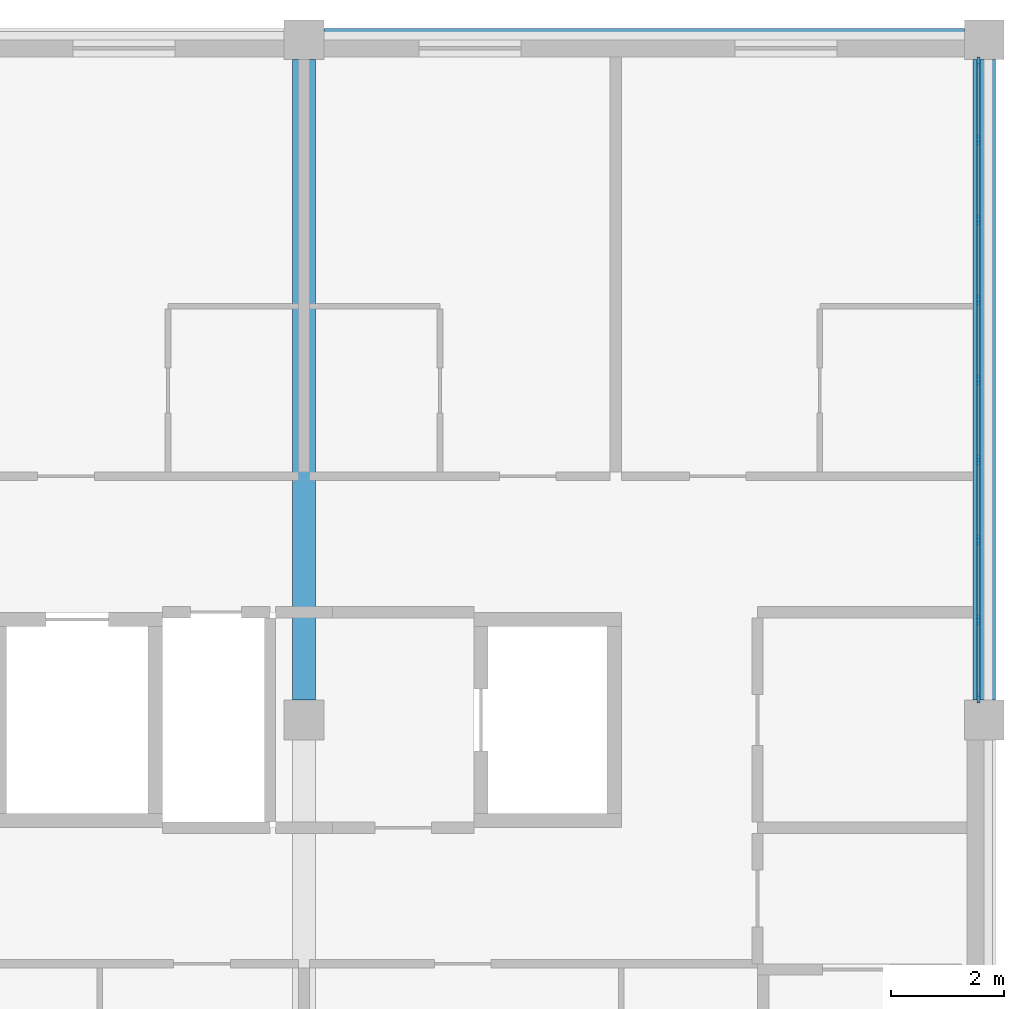
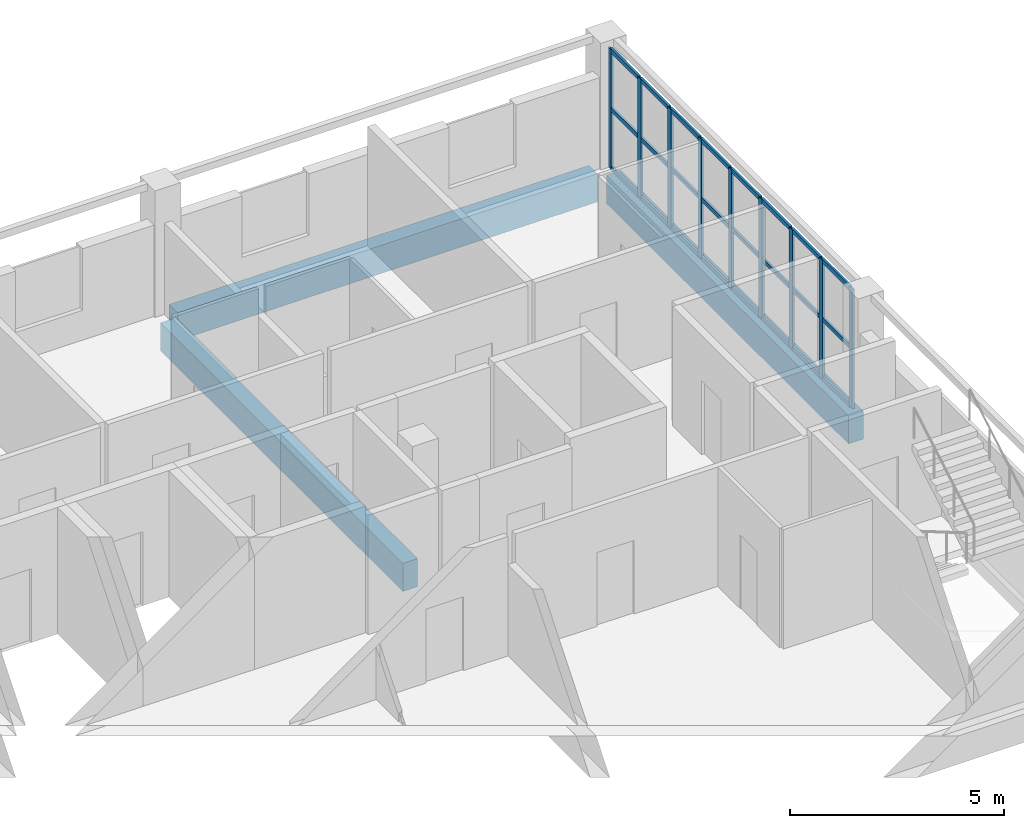
# One storey, part 4 of 11: 33 members, 3 beams, 1 element without a shape of its own.
"""IFC4 building model written with IfcOpenShell, lengths in metres."""

import ifcopenshell
import ifcopenshell.guid

model = None  # the IFC model being written
_history = None  # IfcOwnerHistory: only IFC2X3 demands one
_inside = {}  # id of a spatial element -> (the spatial element, [elements in it])
_under = {}  # id of a project, library or spatial element -> (it, [spatial elements below it])
_declared = {}  # id of a project -> (the project, [libraries it declares])
_typed = {}  # id of a type object -> (the type object, [elements of that type])
_made_of = {}  # id of a material, layer set ... -> (it, [elements and type objects made of it])


def new_model(schema):
    """Start an empty IFC model of exactly this schema.

    Asked for "IFC4X3", IfcOpenShell would pick the latest addendum, in which some entities
    have other attributes; the version numbers below select the first issue.
    IFC2X3 requires an IfcOwnerHistory on every rooted entity: one is made here for all.
    """
    global model, _history
    if schema == "IFC4X3":
        model = ifcopenshell.file(schema_version=(4, 3, 0, 0))
    else:
        model = ifcopenshell.file(schema=schema)
    _inside.clear()
    _under.clear()
    _declared.clear()
    _typed.clear()
    _made_of.clear()
    _history = None
    if model.schema == "IFC2X3":
        org = make("IfcOrganization", Name="unknown")
        user = make(
            "IfcPersonAndOrganization",
            ThePerson=make("IfcPerson", FamilyName="unknown"),
            TheOrganization=org,
        )
        app = make(
            "IfcApplication",
            ApplicationDeveloper=org,
            Version="unknown",
            ApplicationFullName="unknown",
            ApplicationIdentifier="unknown",
        )
        _history = make(
            "IfcOwnerHistory",
            OwningUser=user,
            OwningApplication=app,
            ChangeAction="ADDED",
            CreationDate=0,
        )
    return model


def make(cls, **values):
    """One entity of the class cls with the attributes given. An attribute that is None is left unset."""
    return model.create_entity(
        cls, **{name: value for name, value in values.items() if value is not None}
    )


def rooted(cls, **values):
    """An entity with a GlobalId (a new one), such as an element, a storey or a relation."""
    return make(cls, GlobalId=ifcopenshell.guid.new(), OwnerHistory=_history, **values)


def si_unit(unit_type, name, prefix=None):
    """IfcSIUnit, for example si_unit("LENGTHUNIT", "METRE", prefix="MILLI")."""
    return make("IfcSIUnit", UnitType=unit_type, Prefix=prefix, Name=name)


def assignment(units):
    """IfcUnitAssignment: the units of a project."""
    return None if units is None else make("IfcUnitAssignment", Units=units)


def point(xyz):
    """IfcCartesianPoint."""
    return None if xyz is None else make("IfcCartesianPoint", Coordinates=xyz)


def direction(xyz):
    """IfcDirection."""
    return None if xyz is None else make("IfcDirection", DirectionRatios=xyz)


def frame(location, z_axis=None, x_axis=None):
    """IfcAxis2Placement3D, a coordinate frame: its origin and axes. An axis left out is left unset."""
    return make(
        "IfcAxis2Placement3D",
        Location=point(location),
        Axis=direction(z_axis),
        RefDirection=direction(x_axis),
    )


def frame_2d(location, x_axis=None):
    """IfcAxis2Placement2D, a coordinate frame in the plane: its origin and x axis."""
    return make(
        "IfcAxis2Placement2D", Location=point(location), RefDirection=direction(x_axis)
    )


def origin():
    """The frame at (0, 0, 0) with its axes left unset."""
    return frame((0.0, 0.0, 0.0))


def origin_2d():
    """The frame at (0, 0) in the plane with its x axis left unset."""
    return frame_2d((0.0, 0.0))


def place(relative_to, where):
    """IfcLocalPlacement: puts the frame where relative to a parent placement (None: the world)."""
    return make(
        "IfcLocalPlacement", PlacementRelTo=relative_to, RelativePlacement=where
    )


def context(
    kind, dimensions, precision=None, world=None, true_north=None, identifier=None
):
    """IfcGeometricRepresentationContext, for example the 3D "Model" context."""
    return make(
        "IfcGeometricRepresentationContext",
        ContextIdentifier=identifier,
        ContextType=kind,
        CoordinateSpaceDimension=dimensions,
        Precision=precision,
        WorldCoordinateSystem=world,
        TrueNorth=true_north,
    )


def subcontext(parent, identifier, kind, view, scale=None):
    """IfcGeometricRepresentationSubContext, for example "Body" below "Model"."""
    return make(
        "IfcGeometricRepresentationSubContext",
        ContextIdentifier=identifier,
        ContextType=kind,
        ParentContext=parent,
        TargetScale=scale,
        TargetView=view,
    )


def project(units=None, contexts=None):
    """IfcProject with its units and contexts."""
    return rooted(
        "IfcProject",
        Name="project",
        RepresentationContexts=contexts,
        UnitsInContext=assignment(units),
    )


def spatial(cls, under=None, at=None, **own):
    """A site, building, storey or space (cls), placed at a placement, below another one or the project."""
    s = rooted(cls, ObjectPlacement=at, **own)
    if under is not None:
        _under.setdefault(under.id(), (under, []))[1].append(s)
    return s


def profile(cls, at=None, kind="AREA", **sizes):
    """A parametric profile (cls). Its sizes go by their IFC names, for example OverallWidth=200.0."""
    return make(cls, ProfileType=kind, Position=at, **sizes)


def rectangle(**sizes):
    """IfcRectangleProfileDef."""
    return profile("IfcRectangleProfileDef", **sizes)


def extrude(swept, where, along, depth):
    """IfcExtrudedAreaSolid: the profile swept, set in the frame where, extruded along a direction by depth."""
    return make(
        "IfcExtrudedAreaSolid",
        SweptArea=swept,
        Position=where,
        ExtrudedDirection=direction(along),
        Depth=depth,
    )


def shape(context_of_items, identifier, shape_type, items):
    """IfcShapeRepresentation: the items that make up one representation, for example the "Body"."""
    return make(
        "IfcShapeRepresentation",
        ContextOfItems=context_of_items,
        RepresentationIdentifier=identifier,
        RepresentationType=shape_type,
        Items=items,
    )


def material(Name=None, Category=None):
    """IfcMaterial."""
    return make("IfcMaterial", Name=Name, Category=Category)


def layer(
    of_material, thickness, ventilated=None, Name=None, Category=None, Priority=None
):
    """IfcMaterialLayer: one layer of a wall or slab, of a material (None: an air gap)."""
    return make(
        "IfcMaterialLayer",
        Material=of_material,
        LayerThickness=thickness,
        IsVentilated=ventilated,
        Name=Name,
        Category=Category,
        Priority=Priority,
    )


def layer_set(layers, Name=None):
    """IfcMaterialLayerSet."""
    return make("IfcMaterialLayerSet", MaterialLayers=layers, LayerSetName=Name)


def material_profile(
    of_material, cross_section, Name=None, Category=None, Priority=None
):
    """IfcMaterialProfile: a cross section and its material."""
    return make(
        "IfcMaterialProfile",
        Name=Name,
        Material=of_material,
        Profile=cross_section,
        Priority=Priority,
        Category=Category,
    )


def profile_set(profiles, Name=None, composite=None):
    """IfcMaterialProfileSet."""
    return make(
        "IfcMaterialProfileSet",
        Name=Name,
        MaterialProfiles=profiles,
        CompositeProfile=composite,
    )


def made_of(thing, what):
    """Note that an element or type object is made of a material, layer set ...; save() writes the relation."""
    if what is not None:
        _made_of.setdefault(what.id(), (what, []))[1].append(thing)
    return thing


def type_object(cls, material=None, **own):
    """A type object (cls), such as IfcWallType, which elements share."""
    return made_of(rooted(cls, **own), material)


def element(
    cls,
    number,
    at=None,
    inside=None,
    cuts=None,
    type_object=None,
    material=None,
    context=None,
    identifier="Body",
    shape_type=None,
    held_by="IfcProductDefinitionShape",
    body=None,
    shapes=None,
    **own,
):
    """One element of the class cls, such as IfcWall. Its Tag is "e" and its number.

    at: its placement. inside: the storey or other place that contains it. cuts: it is an
    opening in that element (IfcRelVoidsElement). A single representation is given by context,
    identifier, shape_type and body (its items); several are given by shapes. held_by: the class
    of the entity that holds the representations. save() writes the other relations.
    """
    e = rooted(cls, Tag="e%d" % number, ObjectPlacement=at, **own)
    if body is not None:
        shapes = [shape(context, identifier, shape_type, body)]
    if shapes is not None:
        e.Representation = make(held_by, Representations=shapes)
    if inside is not None:
        _inside.setdefault(inside.id(), (inside, []))[1].append(e)
    if cuts is not None:
        rooted(
            "IfcRelVoidsElement", RelatingBuildingElement=cuts, RelatedOpeningElement=e
        )
    if type_object is not None:
        _typed.setdefault(type_object.id(), (type_object, []))[1].append(e)
    return made_of(e, material)


def aggregate(whole, parts):
    """IfcRelAggregates: a whole, such as a stair, and the parts it consists of."""
    return rooted("IfcRelAggregates", RelatingObject=whole, RelatedObjects=parts)


def save(model, path):
    """Write the relations noted so far, then the file.

    IfcRelAggregates (storeys below a building ...), IfcRelContainedInSpatialStructure (elements
    in a storey), IfcRelDefinesByType, IfcRelAssociatesMaterial and IfcRelDeclares: one each for
    every whole, place, type object, material and project.
    """
    for whole, parts in _under.values():
        aggregate(whole, parts)
    for where, things in _inside.values():
        rooted(
            "IfcRelContainedInSpatialStructure",
            RelatedElements=things,
            RelatingStructure=where,
        )
    for kind, things in _typed.values():
        rooted("IfcRelDefinesByType", RelatedObjects=things, RelatingType=kind)
    for what, things in _made_of.values():
        rooted("IfcRelAssociatesMaterial", RelatedObjects=things, RelatingMaterial=what)
    for by, libraries in _declared.values():
        rooted("IfcRelDeclares", RelatingContext=by, RelatedDefinitions=libraries)
    model.write(path)


model = new_model("IFC4")

# Units and contexts
model_context = context("Model", 3, precision=1e-05, world=origin(), true_north=direction((0.0, 1.0)))
body_context = subcontext(model_context, "Body", "Model", "MODEL_VIEW")
ifc_project = project(units=[si_unit("LENGTHUNIT", "METRE"), si_unit("AREAUNIT", "SQUARE_METRE"), si_unit("VOLUMEUNIT", "CUBIC_METRE"), si_unit("PLANEANGLEUNIT", "RADIAN"), si_unit("MASSUNIT", "GRAM", prefix="KILO")], contexts=[model_context])

# Site, building, storey
site_placement = place(None, origin())
site = spatial("IfcSite", under=ifc_project, at=site_placement, CompositionType="ELEMENT")
building_placement = place(site_placement, origin())
building = spatial("IfcBuilding", under=site, at=building_placement, Name="Lilac Gate Convention Centre", CompositionType="ELEMENT")
storey_placement = place(building_placement, frame((0.0, 0.0, 60.60009765625)))
storey = spatial("IfcBuildingStorey", under=building, at=storey_placement, Name="L15", CompositionType="ELEMENT", Elevation=60.60009765625)

# Curtain wall, members
ifc_material_1 = material(Name="Aluminium framed double glazing", Category="aluminium")
ifc_layer = layer(ifc_material_1, 0.199951171875)
ifc_layer_set = layer_set([ifc_layer], Name="Aluminium framed double glazing")
curtain_wall_type = type_object("IfcCurtainWallType", Name="Unitised curtain wall 1500", PredefinedType="NOTDEFINED", material=ifc_layer_set)
curtain_wall_placement = place(storey_placement, origin())
curtain_wall = element("IfcCurtainWall", 1, at=curtain_wall_placement, inside=storey, type_object=curtain_wall_type, Name="Curtain wall E L15 2", PredefinedType="NOTDEFINED")
ifc_material_2 = material(Name="Aluminium alloy 6063", Category="aluminium")
ifc_material_profile_1 = material_profile(ifc_material_2, rectangle(XDim=0.06005859375, YDim=0.159912109375, at=origin_2d()), Name="Curtain wall mullion 60 x 160")
ifc_profile_set_1 = profile_set([ifc_material_profile_1], Name="Aluminium alloy 6063")
member_type_1 = type_object("IfcMemberType", Name="Curtain wall mullion 60 x 160", PredefinedType="MULLION", material=ifc_profile_set_1)
member_1_placement = place(storey_placement, frame((89.89990234375, 234.380126953125, 0.0), z_axis=(0.0, 0.0, 1.0), x_axis=(-1.0, 0.0, 0.0)))
member_1 = element("IfcMember", 2, at=member_1_placement, type_object=member_type_1, Name="CW mullion 1", PredefinedType="MULLION", context=body_context, shape_type="SweptSolid", body=[
    extrude(rectangle(XDim=0.06005859375, YDim=0.159912109375, at=origin_2d()), origin(), (0.0, 0.0, 1.0), 3.39990234375),
])
member_2_placement = place(storey_placement, frame((89.89990234375, 235.762451171875, 0.0), z_axis=(0.0, 0.0, 1.0), x_axis=(-1.0, 0.0, 0.0)))
member_2 = element("IfcMember", 3, at=member_2_placement, type_object=member_type_1, Name="CW mullion 2", PredefinedType="MULLION", context=body_context, shape_type="SweptSolid", body=[
    extrude(rectangle(XDim=0.06005859375, YDim=0.159912109375, at=origin_2d()), origin(), (0.0, 0.0, 1.0), 3.39990234375),
])
member_3_placement = place(storey_placement, frame((89.89990234375, 237.175048828125, 0.0), z_axis=(0.0, 0.0, 1.0), x_axis=(-1.0, 0.0, 0.0)))
member_3 = element("IfcMember", 4, at=member_3_placement, type_object=member_type_1, Name="CW mullion 3", PredefinedType="MULLION", context=body_context, shape_type="SweptSolid", body=[
    extrude(rectangle(XDim=0.06005859375, YDim=0.159912109375, at=origin_2d()), origin(), (0.0, 0.0, 1.0), 3.39990234375),
])
member_4_placement = place(storey_placement, frame((89.89990234375, 238.58740234375, 0.0), z_axis=(0.0, 0.0, 1.0), x_axis=(-1.0, 0.0, 0.0)))
member_4 = element("IfcMember", 5, at=member_4_placement, type_object=member_type_1, Name="CW mullion 4", PredefinedType="MULLION", context=body_context, shape_type="SweptSolid", body=[
    extrude(rectangle(XDim=0.06005859375, YDim=0.159912109375, at=origin_2d()), origin(), (0.0, 0.0, 1.0), 3.39990234375),
])
member_5_placement = place(storey_placement, frame((89.89990234375, 240.0, 0.0), z_axis=(0.0, 0.0, 1.0), x_axis=(-1.0, 0.0, 0.0)))
member_5 = element("IfcMember", 6, at=member_5_placement, type_object=member_type_1, Name="CW mullion 5", PredefinedType="MULLION", context=body_context, shape_type="SweptSolid", body=[
    extrude(rectangle(XDim=0.06005859375, YDim=0.159912109375, at=origin_2d()), origin(), (0.0, 0.0, 1.0), 3.39990234375),
])
member_6_placement = place(storey_placement, frame((89.89990234375, 241.41259765625, 0.0), z_axis=(0.0, 0.0, 1.0), x_axis=(-1.0, 0.0, 0.0)))
member_6 = element("IfcMember", 7, at=member_6_placement, type_object=member_type_1, Name="CW mullion 6", PredefinedType="MULLION", context=body_context, shape_type="SweptSolid", body=[
    extrude(rectangle(XDim=0.06005859375, YDim=0.159912109375, at=origin_2d()), origin(), (0.0, 0.0, 1.0), 3.39990234375),
])
member_7_placement = place(storey_placement, frame((89.89990234375, 242.824951171875, 0.0), z_axis=(0.0, 0.0, 1.0), x_axis=(-1.0, 0.0, 0.0)))
member_7 = element("IfcMember", 8, at=member_7_placement, type_object=member_type_1, Name="CW mullion 7", PredefinedType="MULLION", context=body_context, shape_type="SweptSolid", body=[
    extrude(rectangle(XDim=0.06005859375, YDim=0.159912109375, at=origin_2d()), origin(), (0.0, 0.0, 1.0), 3.39990234375),
])
member_8_placement = place(storey_placement, frame((89.89990234375, 244.237548828125, 0.0), z_axis=(0.0, 0.0, 1.0), x_axis=(-1.0, 0.0, 0.0)))
member_8 = element("IfcMember", 9, at=member_8_placement, type_object=member_type_1, Name="CW mullion 8", PredefinedType="MULLION", context=body_context, shape_type="SweptSolid", body=[
    extrude(rectangle(XDim=0.06005859375, YDim=0.159912109375, at=origin_2d()), origin(), (0.0, 0.0, 1.0), 3.39990234375),
])
member_9_placement = place(storey_placement, frame((89.89990234375, 245.619873046875, 0.0), z_axis=(0.0, 0.0, 1.0), x_axis=(-1.0, 0.0, 0.0)))
member_9 = element("IfcMember", 10, at=member_9_placement, type_object=member_type_1, Name="CW mullion 9", PredefinedType="MULLION", context=body_context, shape_type="SweptSolid", body=[
    extrude(rectangle(XDim=0.06005859375, YDim=0.159912109375, at=origin_2d()), origin(), (0.0, 0.0, 1.0), 3.39990234375),
])
ifc_material_profile_2 = material_profile(ifc_material_2, rectangle(XDim=0.06005859375, YDim=0.1201171875, at=origin_2d()), Name="Curtain wall transom 60 x 120")
ifc_profile_set_2 = profile_set([ifc_material_profile_2], Name="Aluminium alloy 6063")
member_type_2 = type_object("IfcMemberType", Name="Curtain wall transom 60 x 120", PredefinedType="USERDEFINED", material=ifc_profile_set_2)
member_10_placement = place(storey_placement, frame((89.89990234375, 234.41015625, 0.030029296875), z_axis=(0.0, 1.0, 0.0), x_axis=(-1.0, 0.0, 0.0)))
member_10 = element("IfcMember", 11, at=member_10_placement, type_object=member_type_2, Name="CW transom 1.1", ObjectType="TRANSOM", PredefinedType="USERDEFINED", context=body_context, shape_type="SweptSolid", body=[
    extrude(rectangle(XDim=0.06005859375, YDim=0.1201171875, at=origin_2d()), origin(), (0.0, 0.0, 1.0), 1.322509765625),
])
member_11_placement = place(storey_placement, frame((89.89990234375, 234.41015625, 1.699951171875), z_axis=(0.0, 1.0, 0.0), x_axis=(-1.0, 0.0, 0.0)))
member_11 = element("IfcMember", 12, at=member_11_placement, type_object=member_type_2, Name="CW transom 1.2", ObjectType="TRANSOM", PredefinedType="USERDEFINED", context=body_context, shape_type="SweptSolid", body=[
    extrude(rectangle(XDim=0.06005859375, YDim=0.1201171875, at=origin_2d()), origin(), (0.0, 0.0, 1.0), 1.322509765625),
])
member_12_placement = place(storey_placement, frame((89.89990234375, 234.41015625, 3.369873046875), z_axis=(0.0, 1.0, 0.0), x_axis=(-1.0, 0.0, 0.0)))
member_12 = element("IfcMember", 13, at=member_12_placement, type_object=member_type_2, Name="CW transom 1.3", ObjectType="TRANSOM", PredefinedType="USERDEFINED", context=body_context, shape_type="SweptSolid", body=[
    extrude(rectangle(XDim=0.06005859375, YDim=0.1201171875, at=origin_2d()), origin(), (0.0, 0.0, 1.0), 1.322509765625),
])
member_13_placement = place(storey_placement, frame((89.89990234375, 235.79248046875, 0.030029296875), z_axis=(0.0, 1.0, 0.0), x_axis=(-1.0, 0.0, 0.0)))
member_13 = element("IfcMember", 14, at=member_13_placement, type_object=member_type_2, Name="CW transom 2.1", ObjectType="TRANSOM", PredefinedType="USERDEFINED", context=body_context, shape_type="SweptSolid", body=[
    extrude(rectangle(XDim=0.06005859375, YDim=0.1201171875, at=origin_2d()), origin(), (0.0, 0.0, 1.0), 1.3525390625),
])
member_14_placement = place(storey_placement, frame((89.89990234375, 235.79248046875, 1.699951171875), z_axis=(0.0, 1.0, 0.0), x_axis=(-1.0, 0.0, 0.0)))
member_14 = element("IfcMember", 15, at=member_14_placement, type_object=member_type_2, Name="CW transom 2.2", ObjectType="TRANSOM", PredefinedType="USERDEFINED", context=body_context, shape_type="SweptSolid", body=[
    extrude(rectangle(XDim=0.06005859375, YDim=0.1201171875, at=origin_2d()), origin(), (0.0, 0.0, 1.0), 1.3525390625),
])
member_15_placement = place(storey_placement, frame((89.89990234375, 235.79248046875, 3.369873046875), z_axis=(0.0, 1.0, 0.0), x_axis=(-1.0, 0.0, 0.0)))
member_15 = element("IfcMember", 16, at=member_15_placement, type_object=member_type_2, Name="CW transom 2.3", ObjectType="TRANSOM", PredefinedType="USERDEFINED", context=body_context, shape_type="SweptSolid", body=[
    extrude(rectangle(XDim=0.06005859375, YDim=0.1201171875, at=origin_2d()), origin(), (0.0, 0.0, 1.0), 1.3525390625),
])
member_16_placement = place(storey_placement, frame((89.89990234375, 237.205078125, 0.030029296875), z_axis=(0.0, 1.0, 0.0), x_axis=(-1.0, 0.0, 0.0)))
member_16 = element("IfcMember", 17, at=member_16_placement, type_object=member_type_2, Name="CW transom 3.1", ObjectType="TRANSOM", PredefinedType="USERDEFINED", context=body_context, shape_type="SweptSolid", body=[
    extrude(rectangle(XDim=0.06005859375, YDim=0.1201171875, at=origin_2d()), origin(), (0.0, 0.0, 1.0), 1.3525390625),
])
member_17_placement = place(storey_placement, frame((89.89990234375, 237.205078125, 1.699951171875), z_axis=(0.0, 1.0, 0.0), x_axis=(-1.0, 0.0, 0.0)))
member_17 = element("IfcMember", 18, at=member_17_placement, type_object=member_type_2, Name="CW transom 3.2", ObjectType="TRANSOM", PredefinedType="USERDEFINED", context=body_context, shape_type="SweptSolid", body=[
    extrude(rectangle(XDim=0.06005859375, YDim=0.1201171875, at=origin_2d()), origin(), (0.0, 0.0, 1.0), 1.3525390625),
])
member_18_placement = place(storey_placement, frame((89.89990234375, 237.205078125, 3.369873046875), z_axis=(0.0, 1.0, 0.0), x_axis=(-1.0, 0.0, 0.0)))
member_18 = element("IfcMember", 19, at=member_18_placement, type_object=member_type_2, Name="CW transom 3.3", ObjectType="TRANSOM", PredefinedType="USERDEFINED", context=body_context, shape_type="SweptSolid", body=[
    extrude(rectangle(XDim=0.06005859375, YDim=0.1201171875, at=origin_2d()), origin(), (0.0, 0.0, 1.0), 1.3525390625),
])
member_19_placement = place(storey_placement, frame((89.89990234375, 238.617431640625, 0.030029296875), z_axis=(0.0, 1.0, 0.0), x_axis=(-1.0, 0.0, 0.0)))
member_19 = element("IfcMember", 20, at=member_19_placement, type_object=member_type_2, Name="CW transom 4.1", ObjectType="TRANSOM", PredefinedType="USERDEFINED", context=body_context, shape_type="SweptSolid", body=[
    extrude(rectangle(XDim=0.06005859375, YDim=0.1201171875, at=origin_2d()), origin(), (0.0, 0.0, 1.0), 1.3525390625),
])
member_20_placement = place(storey_placement, frame((89.89990234375, 238.617431640625, 1.699951171875), z_axis=(0.0, 1.0, 0.0), x_axis=(-1.0, 0.0, 0.0)))
member_20 = element("IfcMember", 21, at=member_20_placement, type_object=member_type_2, Name="CW transom 4.2", ObjectType="TRANSOM", PredefinedType="USERDEFINED", context=body_context, shape_type="SweptSolid", body=[
    extrude(rectangle(XDim=0.06005859375, YDim=0.1201171875, at=origin_2d()), origin(), (0.0, 0.0, 1.0), 1.3525390625),
])
member_21_placement = place(storey_placement, frame((89.89990234375, 238.617431640625, 3.369873046875), z_axis=(0.0, 1.0, 0.0), x_axis=(-1.0, 0.0, 0.0)))
member_21 = element("IfcMember", 22, at=member_21_placement, type_object=member_type_2, Name="CW transom 4.3", ObjectType="TRANSOM", PredefinedType="USERDEFINED", context=body_context, shape_type="SweptSolid", body=[
    extrude(rectangle(XDim=0.06005859375, YDim=0.1201171875, at=origin_2d()), origin(), (0.0, 0.0, 1.0), 1.3525390625),
])
member_22_placement = place(storey_placement, frame((89.89990234375, 240.030029296875, 0.030029296875), z_axis=(0.0, 1.0, 0.0), x_axis=(-1.0, 0.0, 0.0)))
member_22 = element("IfcMember", 23, at=member_22_placement, type_object=member_type_2, Name="CW transom 5.1", ObjectType="TRANSOM", PredefinedType="USERDEFINED", context=body_context, shape_type="SweptSolid", body=[
    extrude(rectangle(XDim=0.06005859375, YDim=0.1201171875, at=origin_2d()), origin(), (0.0, 0.0, 1.0), 1.3525390625),
])
member_23_placement = place(storey_placement, frame((89.89990234375, 240.030029296875, 1.699951171875), z_axis=(0.0, 1.0, 0.0), x_axis=(-1.0, 0.0, 0.0)))
member_23 = element("IfcMember", 24, at=member_23_placement, type_object=member_type_2, Name="CW transom 5.2", ObjectType="TRANSOM", PredefinedType="USERDEFINED", context=body_context, shape_type="SweptSolid", body=[
    extrude(rectangle(XDim=0.06005859375, YDim=0.1201171875, at=origin_2d()), origin(), (0.0, 0.0, 1.0), 1.3525390625),
])
member_24_placement = place(storey_placement, frame((89.89990234375, 240.030029296875, 3.369873046875), z_axis=(0.0, 1.0, 0.0), x_axis=(-1.0, 0.0, 0.0)))
member_24 = element("IfcMember", 25, at=member_24_placement, type_object=member_type_2, Name="CW transom 5.3", ObjectType="TRANSOM", PredefinedType="USERDEFINED", context=body_context, shape_type="SweptSolid", body=[
    extrude(rectangle(XDim=0.06005859375, YDim=0.1201171875, at=origin_2d()), origin(), (0.0, 0.0, 1.0), 1.3525390625),
])
member_25_placement = place(storey_placement, frame((89.89990234375, 241.4423828125, 0.030029296875), z_axis=(0.0, 1.0, 0.0), x_axis=(-1.0, 0.0, 0.0)))
member_25 = element("IfcMember", 26, at=member_25_placement, type_object=member_type_2, Name="CW transom 6.1", ObjectType="TRANSOM", PredefinedType="USERDEFINED", context=body_context, shape_type="SweptSolid", body=[
    extrude(rectangle(XDim=0.06005859375, YDim=0.1201171875, at=origin_2d()), origin(), (0.0, 0.0, 1.0), 1.3525390625),
])
member_26_placement = place(storey_placement, frame((89.89990234375, 241.4423828125, 1.699951171875), z_axis=(0.0, 1.0, 0.0), x_axis=(-1.0, 0.0, 0.0)))
member_26 = element("IfcMember", 27, at=member_26_placement, type_object=member_type_2, Name="CW transom 6.2", ObjectType="TRANSOM", PredefinedType="USERDEFINED", context=body_context, shape_type="SweptSolid", body=[
    extrude(rectangle(XDim=0.06005859375, YDim=0.1201171875, at=origin_2d()), origin(), (0.0, 0.0, 1.0), 1.3525390625),
])
member_27_placement = place(storey_placement, frame((89.89990234375, 241.4423828125, 3.369873046875), z_axis=(0.0, 1.0, 0.0), x_axis=(-1.0, 0.0, 0.0)))
member_27 = element("IfcMember", 28, at=member_27_placement, type_object=member_type_2, Name="CW transom 6.3", ObjectType="TRANSOM", PredefinedType="USERDEFINED", context=body_context, shape_type="SweptSolid", body=[
    extrude(rectangle(XDim=0.06005859375, YDim=0.1201171875, at=origin_2d()), origin(), (0.0, 0.0, 1.0), 1.3525390625),
])
member_28_placement = place(storey_placement, frame((89.89990234375, 242.85498046875, 0.030029296875), z_axis=(0.0, 1.0, 0.0), x_axis=(-1.0, 0.0, 0.0)))
member_28 = element("IfcMember", 29, at=member_28_placement, type_object=member_type_2, Name="CW transom 7.1", ObjectType="TRANSOM", PredefinedType="USERDEFINED", context=body_context, shape_type="SweptSolid", body=[
    extrude(rectangle(XDim=0.06005859375, YDim=0.1201171875, at=origin_2d()), origin(), (0.0, 0.0, 1.0), 1.3525390625),
])
member_29_placement = place(storey_placement, frame((89.89990234375, 242.85498046875, 1.699951171875), z_axis=(0.0, 1.0, 0.0), x_axis=(-1.0, 0.0, 0.0)))
member_29 = element("IfcMember", 30, at=member_29_placement, type_object=member_type_2, Name="CW transom 7.2", ObjectType="TRANSOM", PredefinedType="USERDEFINED", context=body_context, shape_type="SweptSolid", body=[
    extrude(rectangle(XDim=0.06005859375, YDim=0.1201171875, at=origin_2d()), origin(), (0.0, 0.0, 1.0), 1.3525390625),
])
member_30_placement = place(storey_placement, frame((89.89990234375, 242.85498046875, 3.369873046875), z_axis=(0.0, 1.0, 0.0), x_axis=(-1.0, 0.0, 0.0)))
member_30 = element("IfcMember", 31, at=member_30_placement, type_object=member_type_2, Name="CW transom 7.3", ObjectType="TRANSOM", PredefinedType="USERDEFINED", context=body_context, shape_type="SweptSolid", body=[
    extrude(rectangle(XDim=0.06005859375, YDim=0.1201171875, at=origin_2d()), origin(), (0.0, 0.0, 1.0), 1.3525390625),
])
member_31_placement = place(storey_placement, frame((89.89990234375, 244.267333984375, 0.030029296875), z_axis=(0.0, 1.0, 0.0), x_axis=(-1.0, 0.0, 0.0)))
member_31 = element("IfcMember", 32, at=member_31_placement, type_object=member_type_2, Name="CW transom 8.1", ObjectType="TRANSOM", PredefinedType="USERDEFINED", context=body_context, shape_type="SweptSolid", body=[
    extrude(rectangle(XDim=0.06005859375, YDim=0.1201171875, at=origin_2d()), origin(), (0.0, 0.0, 1.0), 1.322509765625),
])
member_32_placement = place(storey_placement, frame((89.89990234375, 244.267333984375, 1.699951171875), z_axis=(0.0, 1.0, 0.0), x_axis=(-1.0, 0.0, 0.0)))
member_32 = element("IfcMember", 33, at=member_32_placement, type_object=member_type_2, Name="CW transom 8.2", ObjectType="TRANSOM", PredefinedType="USERDEFINED", context=body_context, shape_type="SweptSolid", body=[
    extrude(rectangle(XDim=0.06005859375, YDim=0.1201171875, at=origin_2d()), origin(), (0.0, 0.0, 1.0), 1.322509765625),
])
member_33_placement = place(storey_placement, frame((89.89990234375, 244.267333984375, 3.369873046875), z_axis=(0.0, 1.0, 0.0), x_axis=(-1.0, 0.0, 0.0)))
member_33 = element("IfcMember", 34, at=member_33_placement, type_object=member_type_2, Name="CW transom 8.3", ObjectType="TRANSOM", PredefinedType="USERDEFINED", context=body_context, shape_type="SweptSolid", body=[
    extrude(rectangle(XDim=0.06005859375, YDim=0.1201171875, at=origin_2d()), origin(), (0.0, 0.0, 1.0), 1.322509765625),
])
aggregate(curtain_wall, [member_1, member_2, member_3, member_4, member_5, member_6, member_7, member_8, member_9, member_10, member_11, member_12, member_13, member_14, member_15, member_16, member_17, member_18, member_19, member_20, member_21, member_22, member_23, member_24, member_25, member_26, member_27, member_28, member_29, member_30, member_31, member_32, member_33])

# Beams
ifc_material_3 = material(Name="Concrete C40", Category="concrete")
ifc_material_profile_3 = material_profile(ifc_material_3, rectangle(XDim=0.39990234375, YDim=0.800048828125, at=origin_2d()), Name="RC 400x800")
ifc_profile_set_3 = profile_set([ifc_material_profile_3], Name="Concrete C40")
beam_type = type_object("IfcBeamType", Name="Tower primary beam 400x800 C40", PredefinedType="BEAM", material=ifc_profile_set_3)
for number, where, z_axis, x_axis, name in (
    (35, (78.35009765625, 246.0, -0.60009765625), (1.0, 0.0, 0.0), (0.0, 1.0, 0.0), "RB3 L15 7/U-8/U"),
    (36, (78.0, 234.35009765625, -0.60009765625), (0.0, 1.0, 0.0), (-1.0, 0.0, 0.0), "RB3 L15 7/T-7/U"),
    (37, (90.0, 234.35009765625, -0.60009765625), (0.0, 1.0, 0.0), (-1.0, 0.0, 0.0), "RB3 L15 8/T-8/U"),
):
    element("IfcBeam", number, at=place(storey_placement, frame(where, z_axis=z_axis, x_axis=x_axis)), inside=storey, type_object=beam_type, Name=name, PredefinedType="BEAM", context=body_context, shape_type="SweptSolid", body=[
        extrude(rectangle(XDim=0.39990234375, YDim=0.800048828125, at=origin_2d()), origin(), (0.0, 0.0, 1.0), 11.2998046875),
    ])

save(model, "model.ifc")
